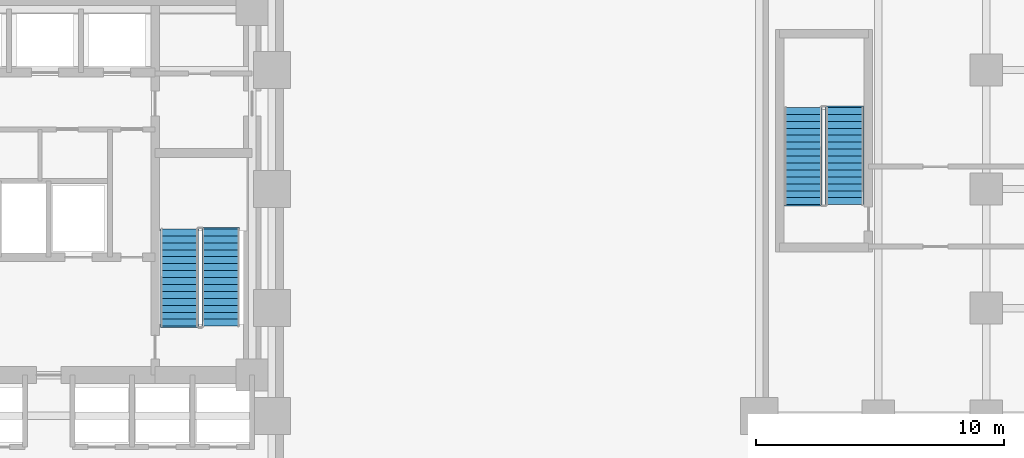
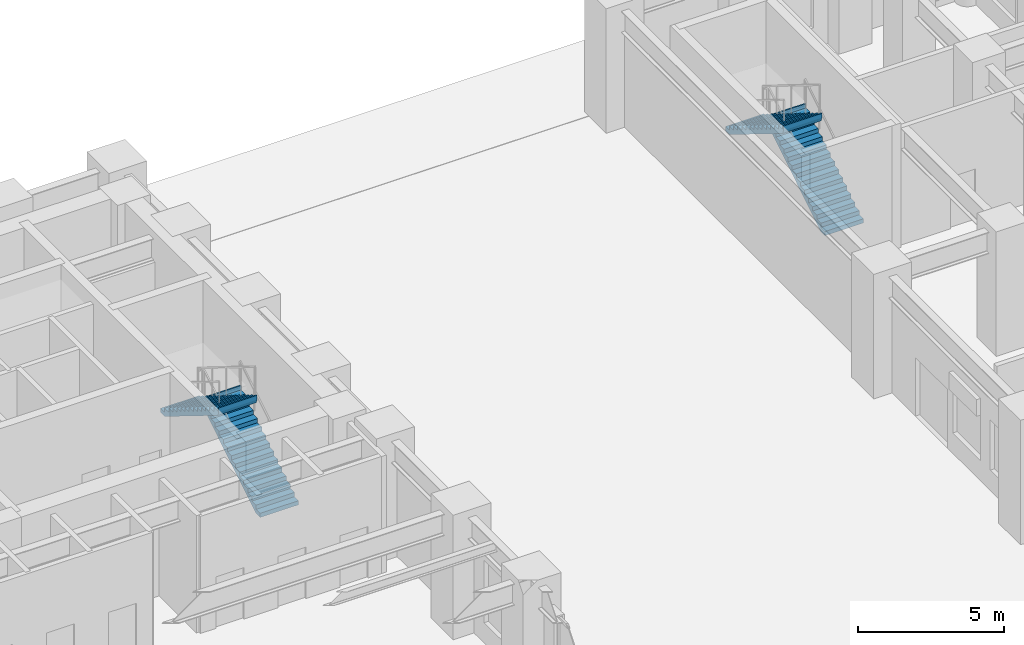
# One storey, part 11 of 16: 4 stair flights, 2 elements without a shape of their own.
"""IFC4 building model written with IfcOpenShell, lengths in metres."""

import ifcopenshell
import ifcopenshell.guid

model = None  # the IFC model being written
_history = None  # IfcOwnerHistory: only IFC2X3 demands one
_inside = {}  # id of a spatial element -> (the spatial element, [elements in it])
_under = {}  # id of a project, library or spatial element -> (it, [spatial elements below it])
_declared = {}  # id of a project -> (the project, [libraries it declares])
_typed = {}  # id of a type object -> (the type object, [elements of that type])
_made_of = {}  # id of a material, layer set ... -> (it, [elements and type objects made of it])


def new_model(schema):
    """Start an empty IFC model of exactly this schema.

    Asked for "IFC4X3", IfcOpenShell would pick the latest addendum, in which some entities
    have other attributes; the version numbers below select the first issue.
    IFC2X3 requires an IfcOwnerHistory on every rooted entity: one is made here for all.
    """
    global model, _history
    if schema == "IFC4X3":
        model = ifcopenshell.file(schema_version=(4, 3, 0, 0))
    else:
        model = ifcopenshell.file(schema=schema)
    _inside.clear()
    _under.clear()
    _declared.clear()
    _typed.clear()
    _made_of.clear()
    _history = None
    if model.schema == "IFC2X3":
        org = make("IfcOrganization", Name="unknown")
        user = make(
            "IfcPersonAndOrganization",
            ThePerson=make("IfcPerson", FamilyName="unknown"),
            TheOrganization=org,
        )
        app = make(
            "IfcApplication",
            ApplicationDeveloper=org,
            Version="unknown",
            ApplicationFullName="unknown",
            ApplicationIdentifier="unknown",
        )
        _history = make(
            "IfcOwnerHistory",
            OwningUser=user,
            OwningApplication=app,
            ChangeAction="ADDED",
            CreationDate=0,
        )
    return model


def make(cls, **values):
    """One entity of the class cls with the attributes given. An attribute that is None is left unset."""
    return model.create_entity(
        cls, **{name: value for name, value in values.items() if value is not None}
    )


def rooted(cls, **values):
    """An entity with a GlobalId (a new one), such as an element, a storey or a relation."""
    return make(cls, GlobalId=ifcopenshell.guid.new(), OwnerHistory=_history, **values)


def si_unit(unit_type, name, prefix=None):
    """IfcSIUnit, for example si_unit("LENGTHUNIT", "METRE", prefix="MILLI")."""
    return make("IfcSIUnit", UnitType=unit_type, Prefix=prefix, Name=name)


def assignment(units):
    """IfcUnitAssignment: the units of a project."""
    return None if units is None else make("IfcUnitAssignment", Units=units)


def point(xyz):
    """IfcCartesianPoint."""
    return None if xyz is None else make("IfcCartesianPoint", Coordinates=xyz)


def direction(xyz):
    """IfcDirection."""
    return None if xyz is None else make("IfcDirection", DirectionRatios=xyz)


def frame(location, z_axis=None, x_axis=None):
    """IfcAxis2Placement3D, a coordinate frame: its origin and axes. An axis left out is left unset."""
    return make(
        "IfcAxis2Placement3D",
        Location=point(location),
        Axis=direction(z_axis),
        RefDirection=direction(x_axis),
    )


def origin():
    """The frame at (0, 0, 0) with its axes left unset."""
    return frame((0.0, 0.0, 0.0))


def place(relative_to, where):
    """IfcLocalPlacement: puts the frame where relative to a parent placement (None: the world)."""
    return make(
        "IfcLocalPlacement", PlacementRelTo=relative_to, RelativePlacement=where
    )


def context(
    kind, dimensions, precision=None, world=None, true_north=None, identifier=None
):
    """IfcGeometricRepresentationContext, for example the 3D "Model" context."""
    return make(
        "IfcGeometricRepresentationContext",
        ContextIdentifier=identifier,
        ContextType=kind,
        CoordinateSpaceDimension=dimensions,
        Precision=precision,
        WorldCoordinateSystem=world,
        TrueNorth=true_north,
    )


def subcontext(parent, identifier, kind, view, scale=None):
    """IfcGeometricRepresentationSubContext, for example "Body" below "Model"."""
    return make(
        "IfcGeometricRepresentationSubContext",
        ContextIdentifier=identifier,
        ContextType=kind,
        ParentContext=parent,
        TargetScale=scale,
        TargetView=view,
    )


def project(units=None, contexts=None):
    """IfcProject with its units and contexts."""
    return rooted(
        "IfcProject",
        Name="project",
        RepresentationContexts=contexts,
        UnitsInContext=assignment(units),
    )


def spatial(cls, under=None, at=None, **own):
    """A site, building, storey or space (cls), placed at a placement, below another one or the project."""
    s = rooted(cls, ObjectPlacement=at, **own)
    if under is not None:
        _under.setdefault(under.id(), (under, []))[1].append(s)
    return s


def polyline(points):
    """IfcPolyline through the points."""
    return make("IfcPolyline", Points=[point(p) for p in points])


def outline(outer, holes=None, kind="AREA"):
    """IfcArbitraryClosedProfileDef: a profile drawn as a closed curve; with holes, ...WithVoids."""
    if holes is None:
        return make("IfcArbitraryClosedProfileDef", ProfileType=kind, OuterCurve=outer)
    return make(
        "IfcArbitraryProfileDefWithVoids",
        ProfileType=kind,
        OuterCurve=outer,
        InnerCurves=holes,
    )


def extrude(swept, where, along, depth):
    """IfcExtrudedAreaSolid: the profile swept, set in the frame where, extruded along a direction by depth."""
    return make(
        "IfcExtrudedAreaSolid",
        SweptArea=swept,
        Position=where,
        ExtrudedDirection=direction(along),
        Depth=depth,
    )


def shape(context_of_items, identifier, shape_type, items):
    """IfcShapeRepresentation: the items that make up one representation, for example the "Body"."""
    return make(
        "IfcShapeRepresentation",
        ContextOfItems=context_of_items,
        RepresentationIdentifier=identifier,
        RepresentationType=shape_type,
        Items=items,
    )


def material(Name=None, Category=None):
    """IfcMaterial."""
    return make("IfcMaterial", Name=Name, Category=Category)


def made_of(thing, what):
    """Note that an element or type object is made of a material, layer set ...; save() writes the relation."""
    if what is not None:
        _made_of.setdefault(what.id(), (what, []))[1].append(thing)
    return thing


def type_object(cls, material=None, **own):
    """A type object (cls), such as IfcWallType, which elements share."""
    return made_of(rooted(cls, **own), material)


def element(
    cls,
    number,
    at=None,
    inside=None,
    cuts=None,
    type_object=None,
    material=None,
    context=None,
    identifier="Body",
    shape_type=None,
    held_by="IfcProductDefinitionShape",
    body=None,
    shapes=None,
    **own,
):
    """One element of the class cls, such as IfcWall. Its Tag is "e" and its number.

    at: its placement. inside: the storey or other place that contains it. cuts: it is an
    opening in that element (IfcRelVoidsElement). A single representation is given by context,
    identifier, shape_type and body (its items); several are given by shapes. held_by: the class
    of the entity that holds the representations. save() writes the other relations.
    """
    e = rooted(cls, Tag="e%d" % number, ObjectPlacement=at, **own)
    if body is not None:
        shapes = [shape(context, identifier, shape_type, body)]
    if shapes is not None:
        e.Representation = make(held_by, Representations=shapes)
    if inside is not None:
        _inside.setdefault(inside.id(), (inside, []))[1].append(e)
    if cuts is not None:
        rooted(
            "IfcRelVoidsElement", RelatingBuildingElement=cuts, RelatedOpeningElement=e
        )
    if type_object is not None:
        _typed.setdefault(type_object.id(), (type_object, []))[1].append(e)
    return made_of(e, material)


def aggregate(whole, parts):
    """IfcRelAggregates: a whole, such as a stair, and the parts it consists of."""
    return rooted("IfcRelAggregates", RelatingObject=whole, RelatedObjects=parts)


def save(model, path):
    """Write the relations noted so far, then the file.

    IfcRelAggregates (storeys below a building ...), IfcRelContainedInSpatialStructure (elements
    in a storey), IfcRelDefinesByType, IfcRelAssociatesMaterial and IfcRelDeclares: one each for
    every whole, place, type object, material and project.
    """
    for whole, parts in _under.values():
        aggregate(whole, parts)
    for where, things in _inside.values():
        rooted(
            "IfcRelContainedInSpatialStructure",
            RelatedElements=things,
            RelatingStructure=where,
        )
    for kind, things in _typed.values():
        rooted("IfcRelDefinesByType", RelatedObjects=things, RelatingType=kind)
    for what, things in _made_of.values():
        rooted("IfcRelAssociatesMaterial", RelatedObjects=things, RelatingMaterial=what)
    for by, libraries in _declared.values():
        rooted("IfcRelDeclares", RelatingContext=by, RelatedDefinitions=libraries)
    model.write(path)


model = new_model("IFC4")

# Units and contexts
model_context = context("Model", 3, precision=1e-05, world=origin(), true_north=direction((0.0, 1.0)))
body_context = subcontext(model_context, "Body", "Model", "MODEL_VIEW")
ifc_project = project(units=[si_unit("LENGTHUNIT", "METRE"), si_unit("AREAUNIT", "SQUARE_METRE"), si_unit("VOLUMEUNIT", "CUBIC_METRE"), si_unit("PLANEANGLEUNIT", "RADIAN"), si_unit("MASSUNIT", "GRAM", prefix="KILO")], contexts=[model_context])

# Site, building, storey
site_placement = place(None, origin())
site = spatial("IfcSite", under=ifc_project, at=site_placement, CompositionType="ELEMENT")
building_placement = place(site_placement, origin())
building = spatial("IfcBuilding", under=site, at=building_placement, Name="Orvandelia Arch Residences", CompositionType="ELEMENT")
storey_placement = place(building_placement, origin())
storey = spatial("IfcBuildingStorey", under=building, at=storey_placement, Name="L00", CompositionType="ELEMENT", Elevation=0.0)

# Stair, stair flights
ifc_material = material(Name="Concrete C40/50", Category="concrete")
stair_type = type_object("IfcStairType", Name="STAIR-RC-DOGLEG", PredefinedType="HALF_TURN_STAIR", material=ifc_material)
stair_1_placement = place(storey_placement, origin())
stair_1 = element("IfcStair", 1, at=stair_1_placement, inside=storey, type_object=stair_type, Name="L00 Protected Exit Stair ST-2", PredefinedType="HALF_TURN_STAIR")
stair_flight_type = type_object("IfcStairFlightType", Name="STFLT-RC-1520", PredefinedType="STRAIGHT", material=ifc_material)
stair_flight_1_placement = place(storey_placement, frame((21.489990234375, 32.8701171875, 0.0), z_axis=(0.0, 0.0, 1.0), x_axis=(0.0, 1.0, 0.0)))
stair_flight_1 = element("IfcStairFlight", 2, at=stair_flight_1_placement, type_object=stair_flight_type, Name="ST-2 flight 1", NumberOfRisers=15, NumberOfTreads=14, PredefinedType="STRAIGHT", RiserHeight=0.173333333, TreadLength=0.28, context=body_context, shape_type="SweptSolid", body=[
    extrude(outline(polyline([(0.0, 0.0), (0.0, 0.17333984375), (0.280029296875, 0.17333984375), (0.280029296875, 0.3466796875), (0.56005859375, 0.3466796875), (0.56005859375, 0.52001953125), (0.840087890625, 0.52001953125), (0.840087890625, 0.693359375), (1.1201171875, 0.693359375), (1.1201171875, 0.86669921875), (1.39990234375, 0.86669921875), (1.39990234375, 1.0400390625), (1.679931640625, 1.0400390625), (1.679931640625, 1.21337890625), (1.9599609375, 1.21337890625), (1.9599609375, 1.38671875), (2.239990234375, 1.38671875), (2.239990234375, 1.56005859375), (2.52001953125, 1.56005859375), (2.52001953125, 1.7333984375), (2.800048828125, 1.7333984375), (2.800048828125, 1.90673828125), (3.080078125, 1.90673828125), (3.080078125, 2.080078125), (3.360107421875, 2.080078125), (3.360107421875, 2.25341796875), (3.639892578125, 2.25341796875), (3.639892578125, 2.4267578125), (3.919921875, 2.4267578125), (3.919921875, 2.60009765625), (3.97998046875, 2.60009765625), (3.97998046875, 2.419921875), (3.919921875, 2.250244140625), (0.284912109375, 0.0), (0.0, 0.0)])), frame((0.0, 0.760009765625, 0.0), z_axis=(0.0, -1.0, 0.0), x_axis=(1.0, 0.0, 0.0)), (0.0, 0.0, 1.0), 1.52001953125),
])
stair_flight_2_placement = place(storey_placement, frame((19.820068359375, 36.7900390625, 2.60009765625), z_axis=(0.0, 0.0, 1.0), x_axis=(0.0, -1.0, 0.0)))
stair_flight_2 = element("IfcStairFlight", 3, at=stair_flight_2_placement, type_object=stair_flight_type, Name="ST-2 flight 2", NumberOfRisers=15, NumberOfTreads=14, PredefinedType="STRAIGHT", RiserHeight=0.173333333, TreadLength=0.28, context=body_context, shape_type="SweptSolid", body=[
    extrude(outline(polyline([(0.0, 0.0), (0.0, 0.17333984375), (0.280029296875, 0.17333984375), (0.280029296875, 0.3466796875), (0.56005859375, 0.3466796875), (0.56005859375, 0.52001953125), (0.840087890625, 0.52001953125), (0.840087890625, 0.693359375), (1.1201171875, 0.693359375), (1.1201171875, 0.86669921875), (1.39990234375, 0.86669921875), (1.39990234375, 1.0400390625), (1.679931640625, 1.0400390625), (1.679931640625, 1.21337890625), (1.9599609375, 1.21337890625), (1.9599609375, 1.38671875), (2.239990234375, 1.38671875), (2.239990234375, 1.56005859375), (2.52001953125, 1.56005859375), (2.52001953125, 1.7333984375), (2.800048828125, 1.7333984375), (2.800048828125, 1.90673828125), (3.080078125, 1.90673828125), (3.080078125, 2.080078125), (3.360107421875, 2.080078125), (3.360107421875, 2.25341796875), (3.639892578125, 2.25341796875), (3.639892578125, 2.4267578125), (3.919921875, 2.4267578125), (3.919921875, 2.60009765625), (3.97998046875, 2.60009765625), (3.97998046875, 2.419921875), (3.919921875, 2.250244140625), (0.284912109375, 0.0), (0.0, 0.0)])), frame((0.0, 0.760009765625, 0.0), z_axis=(0.0, -1.0, 0.0), x_axis=(1.0, 0.0, 0.0)), (0.0, 0.0, 1.0), 1.52001953125),
])
aggregate(stair_1, [stair_flight_1, stair_flight_2])

stair_2_placement = place(storey_placement, origin())
stair_2 = element("IfcStair", 4, at=stair_2_placement, inside=storey, type_object=stair_type, Name="L00 East Wing Exit Stair ST-3", PredefinedType="HALF_TURN_STAIR")
stair_flight_3_placement = place(storey_placement, frame((46.639892578125, 37.77001953125, 0.0), z_axis=(0.0, 0.0, 1.0), x_axis=(0.0, 1.0, 0.0)))
stair_flight_3 = element("IfcStairFlight", 5, at=stair_flight_3_placement, type_object=stair_flight_type, Name="ST-3 flight 1", NumberOfRisers=15, NumberOfTreads=14, PredefinedType="STRAIGHT", RiserHeight=0.173333333, TreadLength=0.28, context=body_context, shape_type="SweptSolid", body=[
    extrude(outline(polyline([(0.0, 0.0), (0.0, 0.17333984375), (0.280029296875, 0.17333984375), (0.280029296875, 0.3466796875), (0.56005859375, 0.3466796875), (0.56005859375, 0.52001953125), (0.840087890625, 0.52001953125), (0.840087890625, 0.693359375), (1.1201171875, 0.693359375), (1.1201171875, 0.86669921875), (1.39990234375, 0.86669921875), (1.39990234375, 1.0400390625), (1.679931640625, 1.0400390625), (1.679931640625, 1.21337890625), (1.9599609375, 1.21337890625), (1.9599609375, 1.38671875), (2.239990234375, 1.38671875), (2.239990234375, 1.56005859375), (2.52001953125, 1.56005859375), (2.52001953125, 1.7333984375), (2.800048828125, 1.7333984375), (2.800048828125, 1.90673828125), (3.080078125, 1.90673828125), (3.080078125, 2.080078125), (3.360107421875, 2.080078125), (3.360107421875, 2.25341796875), (3.639892578125, 2.25341796875), (3.639892578125, 2.4267578125), (3.919921875, 2.4267578125), (3.919921875, 2.60009765625), (3.97998046875, 2.60009765625), (3.97998046875, 2.419921875), (3.919921875, 2.250244140625), (0.284912109375, 0.0), (0.0, 0.0)])), frame((0.0, 0.760009765625, 0.0), z_axis=(0.0, -1.0, 0.0), x_axis=(1.0, 0.0, 0.0)), (0.0, 0.0, 1.0), 1.52001953125),
])
stair_flight_4_placement = place(storey_placement, frame((44.969970703125, 41.68994140625, 2.60009765625), z_axis=(0.0, 0.0, 1.0), x_axis=(0.0, -1.0, 0.0)))
stair_flight_4 = element("IfcStairFlight", 6, at=stair_flight_4_placement, type_object=stair_flight_type, Name="ST-3 flight 2", NumberOfRisers=15, NumberOfTreads=14, PredefinedType="STRAIGHT", RiserHeight=0.173333333, TreadLength=0.28, context=body_context, shape_type="SweptSolid", body=[
    extrude(outline(polyline([(0.0, 0.0), (0.0, 0.17333984375), (0.280029296875, 0.17333984375), (0.280029296875, 0.3466796875), (0.56005859375, 0.3466796875), (0.56005859375, 0.52001953125), (0.840087890625, 0.52001953125), (0.840087890625, 0.693359375), (1.1201171875, 0.693359375), (1.1201171875, 0.86669921875), (1.39990234375, 0.86669921875), (1.39990234375, 1.0400390625), (1.679931640625, 1.0400390625), (1.679931640625, 1.21337890625), (1.9599609375, 1.21337890625), (1.9599609375, 1.38671875), (2.239990234375, 1.38671875), (2.239990234375, 1.56005859375), (2.52001953125, 1.56005859375), (2.52001953125, 1.7333984375), (2.800048828125, 1.7333984375), (2.800048828125, 1.90673828125), (3.080078125, 1.90673828125), (3.080078125, 2.080078125), (3.360107421875, 2.080078125), (3.360107421875, 2.25341796875), (3.639892578125, 2.25341796875), (3.639892578125, 2.4267578125), (3.919921875, 2.4267578125), (3.919921875, 2.60009765625), (3.97998046875, 2.60009765625), (3.97998046875, 2.419921875), (3.919921875, 2.250244140625), (0.284912109375, 0.0), (0.0, 0.0)])), frame((0.0, 0.760009765625, 0.0), z_axis=(0.0, -1.0, 0.0), x_axis=(1.0, 0.0, 0.0)), (0.0, 0.0, 1.0), 1.52001953125),
])
aggregate(stair_2, [stair_flight_3, stair_flight_4])

save(model, "model.ifc")
